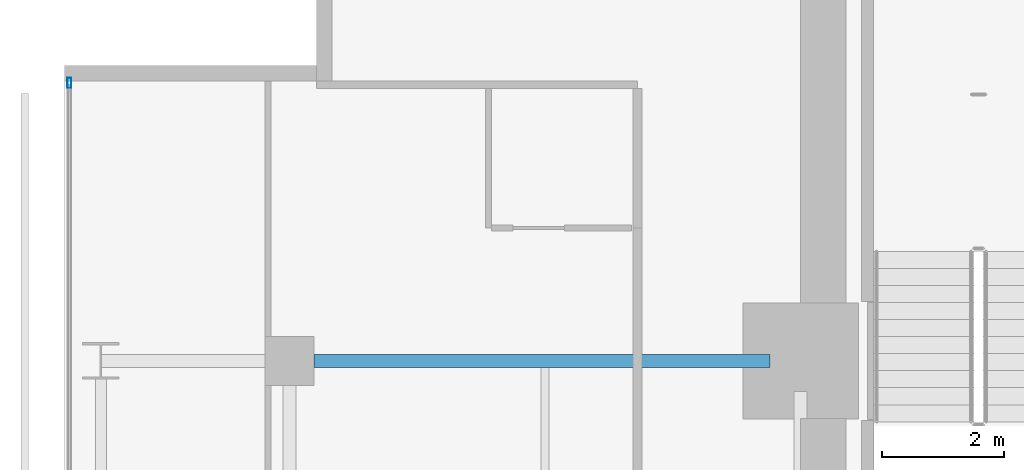
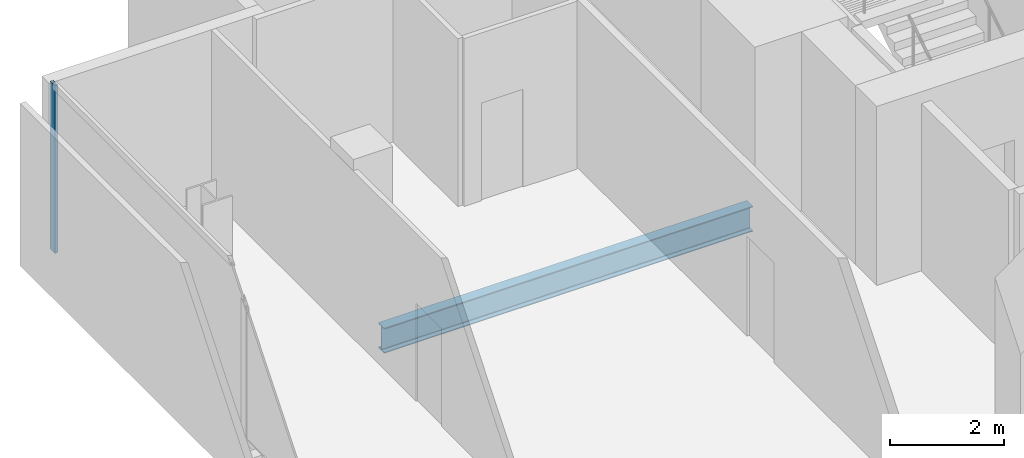
# One storey, part 20 of 32: 1 beam, 1 member, 1 element without a shape of its own.
"""IFC4 building model written with IfcOpenShell, lengths in metres."""

from ifc_helpers import new_model, si_unit, direction, frame, origin, origin_2d, place, context, subcontext, project, spatial, hollow_rectangle, i_section, extrude, material, layer, layer_set, material_profile, profile_set, type_object, element, aggregate, save


model = new_model("IFC4")

# Units and contexts
model_context = context("Model", 3, precision=1e-05, world=origin(), true_north=direction((0.0, 1.0)))
body_context = subcontext(model_context, "Body", "Model", "MODEL_VIEW")
ifc_project = project(units=[si_unit("LENGTHUNIT", "METRE"), si_unit("AREAUNIT", "SQUARE_METRE"), si_unit("VOLUMEUNIT", "CUBIC_METRE"), si_unit("PLANEANGLEUNIT", "RADIAN"), si_unit("MASSUNIT", "GRAM", prefix="KILO")], contexts=[model_context])

# Site, building, storey
site_placement = place(None, origin())
site = spatial("IfcSite", under=ifc_project, at=site_placement, CompositionType="ELEMENT")
building_placement = place(site_placement, origin())
building = spatial("IfcBuilding", under=site, at=building_placement, Name="Maruvema Waterfront Hotel and Observation Tower", CompositionType="ELEMENT")
storey_placement = place(building_placement, frame((0.0, 0.0, 219.800048828125)))
storey = spatial("IfcBuildingStorey", under=building, at=storey_placement, Name="L54", CompositionType="ELEMENT", Elevation=219.800048828125)

# Curtain wall, member
ifc_material_1 = material(Name="Anodised bronze aluminium and solar-control low-E IGU", Category="aluminium")
ifc_layer = layer(ifc_material_1, 0.159912109375, Name="Zone 2 Amber Inner Thermal Curtain Wall System CW-03")
ifc_layer_set = layer_set([ifc_layer], Name="Anodised bronze aluminium and solar-control low-E IGU")
curtain_wall_type = type_object("IfcCurtainWallType", Name="Zone 2 Amber Inner Thermal Curtain Wall System CW-03", PredefinedType="USERDEFINED", material=ifc_layer_set)
curtain_wall_placement = place(storey_placement, origin())
curtain_wall = element("IfcCurtainWall", 1, at=curtain_wall_placement, inside=storey, type_object=curtain_wall_type, Name="L54 Curtain Wall CW-L54-W", ObjectType="UNITISED CURTAIN WALL", PredefinedType="USERDEFINED")
ifc_material_2 = material(Name="Anodised architectural bronze aluminium", Category="aluminium")
ifc_material_profile_1 = material_profile(ifc_material_2, hollow_rectangle(XDim=0.06494140625, YDim=0.1650390625, WallThickness=0.00390625, at=origin_2d()), Name="ALU-M65x165")
ifc_profile_set_1 = profile_set([ifc_material_profile_1], Name="Anodised architectural bronze aluminium")
member_type = type_object("IfcMemberType", Name="Curtain Wall Primary Mullion ALU-M65x165", PredefinedType="MULLION", material=ifc_profile_set_1)
member_placement = place(storey_placement, frame((13.179931640625, 49.570068359375, 0.0), z_axis=(0.0, 0.0, 1.0), x_axis=(1.0, 0.0, 0.0)))
member = element("IfcMember", 2, at=member_placement, type_object=member_type, Name="CW-03 mullion 1", PredefinedType="MULLION", context=body_context, shape_type="SweptSolid", body=[
    extrude(hollow_rectangle(XDim=0.06494140625, YDim=0.1650390625, WallThickness=0.00390625, at=origin_2d()), origin(), (0.0, 0.0, 1.0), 3.60986328125),
])
aggregate(curtain_wall, [member])

# Beam
ifc_material_3 = material(Name="Steel ASTM A572 Grade 50", Category="steel")
ifc_material_profile_2 = material_profile(ifc_material_3, i_section(OverallWidth=0.2109375, OverallDepth=0.5390625, WebThickness=0.01171875, FlangeThickness=0.018798828125, FilletRadius=0.014892578125, at=origin_2d()), Name="W530x109.0")
ifc_profile_set_2 = profile_set([ifc_material_profile_2], Name="Steel ASTM A572 Grade 50")
beam_type = type_object("IfcBeamType", Name="Primary Floor Girder W530x109.0", PredefinedType="BEAM", material=ifc_profile_set_2)
beam_placement = place(storey_placement, frame((17.199951171875, 45.0, -0.509521484375), z_axis=(1.0, 0.0, 0.0), x_axis=(0.0, 1.0, 0.0)))
element("IfcBeam", 3, at=beam_placement, inside=storey, type_object=beam_type, Name="L54 Floor Girder EW-31", PredefinedType="BEAM", context=body_context, shape_type="SweptSolid", body=[
    extrude(i_section(OverallWidth=0.2109375, OverallDepth=0.5390625, WebThickness=0.01171875, FlangeThickness=0.018798828125, FilletRadius=0.014892578125, at=origin_2d()), origin(), (0.0, 0.0, 1.0), 7.5),
])

save(model, "model.ifc")
